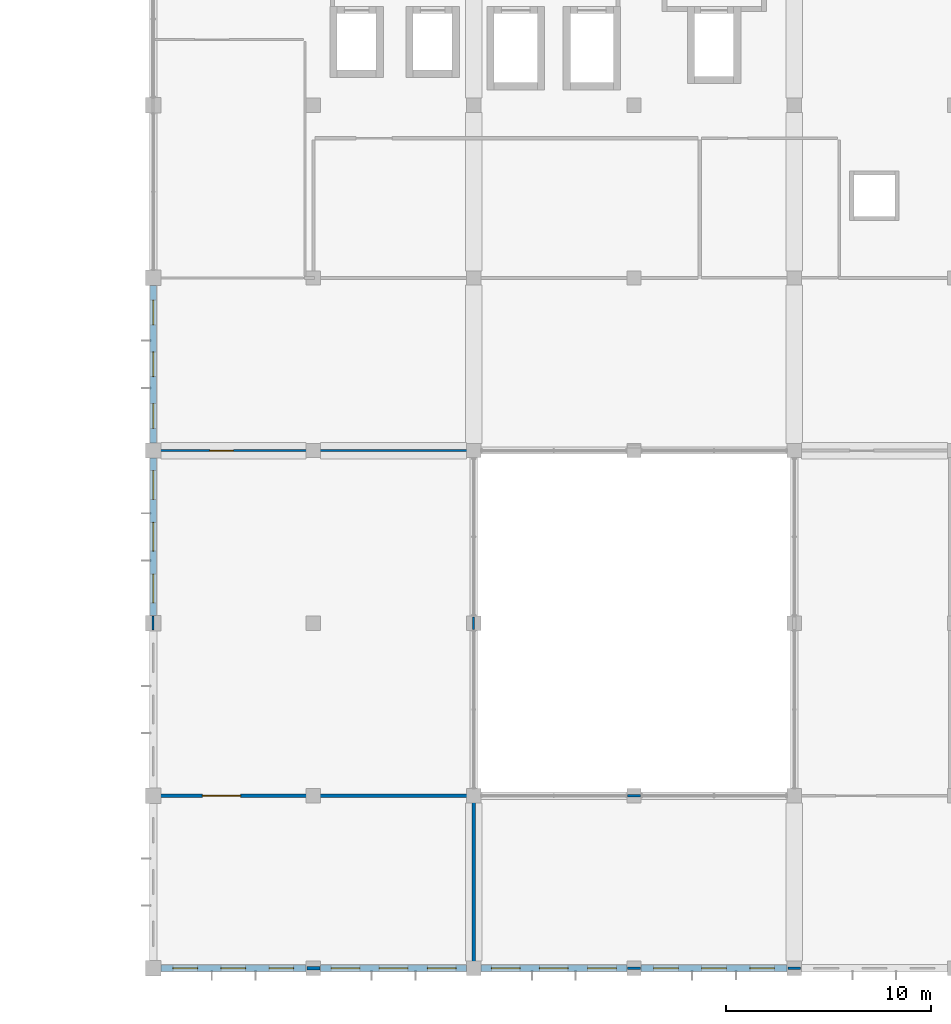
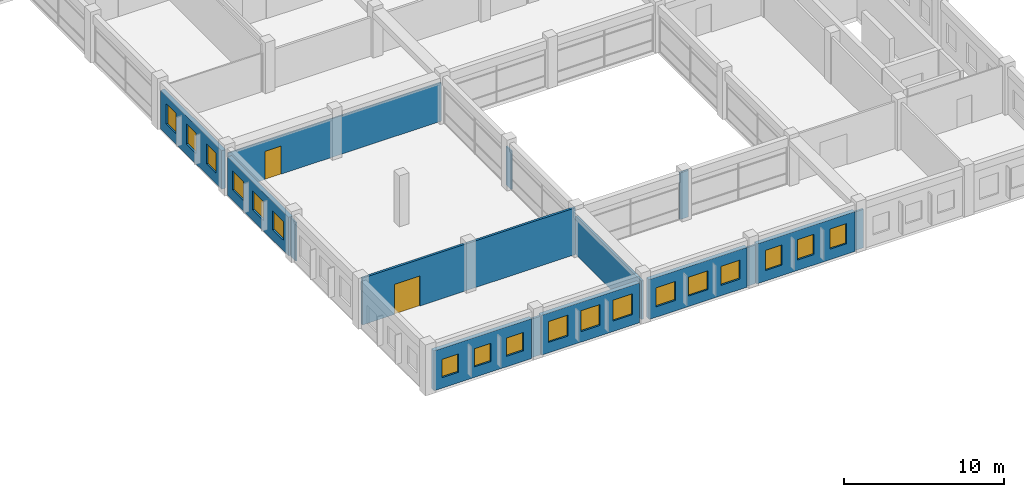
# One storey, part 51 of 72: 18 windows, 15 walls, 2 doors, 20 openings.
"""IFC4 building model written with IfcOpenShell, lengths in metres."""

import ifcopenshell
import ifcopenshell.guid

model = None  # the IFC model being written
_history = None  # IfcOwnerHistory: only IFC2X3 demands one
_inside = {}  # id of a spatial element -> (the spatial element, [elements in it])
_under = {}  # id of a project, library or spatial element -> (it, [spatial elements below it])
_declared = {}  # id of a project -> (the project, [libraries it declares])
_typed = {}  # id of a type object -> (the type object, [elements of that type])
_made_of = {}  # id of a material, layer set ... -> (it, [elements and type objects made of it])


def new_model(schema):
    """Start an empty IFC model of exactly this schema.

    Asked for "IFC4X3", IfcOpenShell would pick the latest addendum, in which some entities
    have other attributes; the version numbers below select the first issue.
    IFC2X3 requires an IfcOwnerHistory on every rooted entity: one is made here for all.
    """
    global model, _history
    if schema == "IFC4X3":
        model = ifcopenshell.file(schema_version=(4, 3, 0, 0))
    else:
        model = ifcopenshell.file(schema=schema)
    _inside.clear()
    _under.clear()
    _declared.clear()
    _typed.clear()
    _made_of.clear()
    _history = None
    if model.schema == "IFC2X3":
        org = make("IfcOrganization", Name="unknown")
        user = make(
            "IfcPersonAndOrganization",
            ThePerson=make("IfcPerson", FamilyName="unknown"),
            TheOrganization=org,
        )
        app = make(
            "IfcApplication",
            ApplicationDeveloper=org,
            Version="unknown",
            ApplicationFullName="unknown",
            ApplicationIdentifier="unknown",
        )
        _history = make(
            "IfcOwnerHistory",
            OwningUser=user,
            OwningApplication=app,
            ChangeAction="ADDED",
            CreationDate=0,
        )
    return model


def make(cls, **values):
    """One entity of the class cls with the attributes given. An attribute that is None is left unset."""
    return model.create_entity(
        cls, **{name: value for name, value in values.items() if value is not None}
    )


def rooted(cls, **values):
    """An entity with a GlobalId (a new one), such as an element, a storey or a relation."""
    return make(cls, GlobalId=ifcopenshell.guid.new(), OwnerHistory=_history, **values)


def si_unit(unit_type, name, prefix=None):
    """IfcSIUnit, for example si_unit("LENGTHUNIT", "METRE", prefix="MILLI")."""
    return make("IfcSIUnit", UnitType=unit_type, Prefix=prefix, Name=name)


def assignment(units):
    """IfcUnitAssignment: the units of a project."""
    return None if units is None else make("IfcUnitAssignment", Units=units)


def point(xyz):
    """IfcCartesianPoint."""
    return None if xyz is None else make("IfcCartesianPoint", Coordinates=xyz)


def direction(xyz):
    """IfcDirection."""
    return None if xyz is None else make("IfcDirection", DirectionRatios=xyz)


def frame(location, z_axis=None, x_axis=None):
    """IfcAxis2Placement3D, a coordinate frame: its origin and axes. An axis left out is left unset."""
    return make(
        "IfcAxis2Placement3D",
        Location=point(location),
        Axis=direction(z_axis),
        RefDirection=direction(x_axis),
    )


def frame_2d(location, x_axis=None):
    """IfcAxis2Placement2D, a coordinate frame in the plane: its origin and x axis."""
    return make(
        "IfcAxis2Placement2D", Location=point(location), RefDirection=direction(x_axis)
    )


def origin():
    """The frame at (0, 0, 0) with its axes left unset."""
    return frame((0.0, 0.0, 0.0))


def place(relative_to, where):
    """IfcLocalPlacement: puts the frame where relative to a parent placement (None: the world)."""
    return make(
        "IfcLocalPlacement", PlacementRelTo=relative_to, RelativePlacement=where
    )


def context(
    kind, dimensions, precision=None, world=None, true_north=None, identifier=None
):
    """IfcGeometricRepresentationContext, for example the 3D "Model" context."""
    return make(
        "IfcGeometricRepresentationContext",
        ContextIdentifier=identifier,
        ContextType=kind,
        CoordinateSpaceDimension=dimensions,
        Precision=precision,
        WorldCoordinateSystem=world,
        TrueNorth=true_north,
    )


def subcontext(parent, identifier, kind, view, scale=None):
    """IfcGeometricRepresentationSubContext, for example "Body" below "Model"."""
    return make(
        "IfcGeometricRepresentationSubContext",
        ContextIdentifier=identifier,
        ContextType=kind,
        ParentContext=parent,
        TargetScale=scale,
        TargetView=view,
    )


def project(units=None, contexts=None):
    """IfcProject with its units and contexts."""
    return rooted(
        "IfcProject",
        Name="project",
        RepresentationContexts=contexts,
        UnitsInContext=assignment(units),
    )


def spatial(cls, under=None, at=None, **own):
    """A site, building, storey or space (cls), placed at a placement, below another one or the project."""
    s = rooted(cls, ObjectPlacement=at, **own)
    if under is not None:
        _under.setdefault(under.id(), (under, []))[1].append(s)
    return s


def profile(cls, at=None, kind="AREA", **sizes):
    """A parametric profile (cls). Its sizes go by their IFC names, for example OverallWidth=200.0."""
    return make(cls, ProfileType=kind, Position=at, **sizes)


def rectangle(**sizes):
    """IfcRectangleProfileDef."""
    return profile("IfcRectangleProfileDef", **sizes)


def extrude(swept, where, along, depth):
    """IfcExtrudedAreaSolid: the profile swept, set in the frame where, extruded along a direction by depth."""
    return make(
        "IfcExtrudedAreaSolid",
        SweptArea=swept,
        Position=where,
        ExtrudedDirection=direction(along),
        Depth=depth,
    )


def shape(context_of_items, identifier, shape_type, items):
    """IfcShapeRepresentation: the items that make up one representation, for example the "Body"."""
    return make(
        "IfcShapeRepresentation",
        ContextOfItems=context_of_items,
        RepresentationIdentifier=identifier,
        RepresentationType=shape_type,
        Items=items,
    )


def material(Name=None, Category=None):
    """IfcMaterial."""
    return make("IfcMaterial", Name=Name, Category=Category)


def layer(
    of_material, thickness, ventilated=None, Name=None, Category=None, Priority=None
):
    """IfcMaterialLayer: one layer of a wall or slab, of a material (None: an air gap)."""
    return make(
        "IfcMaterialLayer",
        Material=of_material,
        LayerThickness=thickness,
        IsVentilated=ventilated,
        Name=Name,
        Category=Category,
        Priority=Priority,
    )


def layer_set(layers, Name=None):
    """IfcMaterialLayerSet."""
    return make("IfcMaterialLayerSet", MaterialLayers=layers, LayerSetName=Name)


def made_of(thing, what):
    """Note that an element or type object is made of a material, layer set ...; save() writes the relation."""
    if what is not None:
        _made_of.setdefault(what.id(), (what, []))[1].append(thing)
    return thing


def type_object(cls, material=None, **own):
    """A type object (cls), such as IfcWallType, which elements share."""
    return made_of(rooted(cls, **own), material)


def element(
    cls,
    number,
    at=None,
    inside=None,
    cuts=None,
    type_object=None,
    material=None,
    context=None,
    identifier="Body",
    shape_type=None,
    held_by="IfcProductDefinitionShape",
    body=None,
    shapes=None,
    **own,
):
    """One element of the class cls, such as IfcWall. Its Tag is "e" and its number.

    at: its placement. inside: the storey or other place that contains it. cuts: it is an
    opening in that element (IfcRelVoidsElement). A single representation is given by context,
    identifier, shape_type and body (its items); several are given by shapes. held_by: the class
    of the entity that holds the representations. save() writes the other relations.
    """
    e = rooted(cls, Tag="e%d" % number, ObjectPlacement=at, **own)
    if body is not None:
        shapes = [shape(context, identifier, shape_type, body)]
    if shapes is not None:
        e.Representation = make(held_by, Representations=shapes)
    if inside is not None:
        _inside.setdefault(inside.id(), (inside, []))[1].append(e)
    if cuts is not None:
        rooted(
            "IfcRelVoidsElement", RelatingBuildingElement=cuts, RelatedOpeningElement=e
        )
    if type_object is not None:
        _typed.setdefault(type_object.id(), (type_object, []))[1].append(e)
    return made_of(e, material)


def fill(opening, filler):
    """IfcRelFillsElement: the door or window that sits in an opening."""
    return rooted(
        "IfcRelFillsElement",
        RelatingOpeningElement=opening,
        RelatedBuildingElement=filler,
    )


def aggregate(whole, parts):
    """IfcRelAggregates: a whole, such as a stair, and the parts it consists of."""
    return rooted("IfcRelAggregates", RelatingObject=whole, RelatedObjects=parts)


def save(model, path):
    """Write the relations noted so far, then the file.

    IfcRelAggregates (storeys below a building ...), IfcRelContainedInSpatialStructure (elements
    in a storey), IfcRelDefinesByType, IfcRelAssociatesMaterial and IfcRelDeclares: one each for
    every whole, place, type object, material and project.
    """
    for whole, parts in _under.values():
        aggregate(whole, parts)
    for where, things in _inside.values():
        rooted(
            "IfcRelContainedInSpatialStructure",
            RelatedElements=things,
            RelatingStructure=where,
        )
    for kind, things in _typed.values():
        rooted("IfcRelDefinesByType", RelatedObjects=things, RelatingType=kind)
    for what, things in _made_of.values():
        rooted("IfcRelAssociatesMaterial", RelatedObjects=things, RelatingMaterial=what)
    for by, libraries in _declared.values():
        rooted("IfcRelDeclares", RelatingContext=by, RelatedDefinitions=libraries)
    model.write(path)


model = new_model("IFC4")

# Units and contexts
model_context = context("Model", 3, precision=1e-05, world=origin(), true_north=direction((0.0, 1.0)))
body_context = subcontext(model_context, "Body", "Model", "MODEL_VIEW")
ifc_project = project(units=[si_unit("LENGTHUNIT", "METRE"), si_unit("AREAUNIT", "SQUARE_METRE"), si_unit("VOLUMEUNIT", "CUBIC_METRE"), si_unit("PLANEANGLEUNIT", "RADIAN"), si_unit("MASSUNIT", "GRAM", prefix="KILO"), si_unit("THERMODYNAMICTEMPERATUREUNIT", "KELVIN"), si_unit("POWERUNIT", "WATT")], contexts=[model_context])

# Site, building, storey
site_placement = place(None, origin())
site = spatial("IfcSite", under=ifc_project, at=site_placement, CompositionType="ELEMENT")
building_placement = place(site_placement, origin())
building = spatial("IfcBuilding", under=site, at=building_placement, Name="Srebrne Nadtorze General Hospital", CompositionType="ELEMENT")
storey_placement = place(building_placement, frame((0.0, 0.0, 22.199951171875)))
storey = spatial("IfcBuildingStorey", under=building, at=storey_placement, Name="L05", CompositionType="ELEMENT", Elevation=22.199951171875)

# Walls
ifc_material_1 = material(Name="Gypsum Healthcare Partition")
ifc_layer_1 = layer(ifc_material_1, 0.139892578125)
ifc_layer_set_1 = layer_set([ifc_layer_1], Name="Gypsum Healthcare Partition")
wall_type_1 = type_object("IfcWallType", Name="Clinical partition 140", PredefinedType="PARTITIONING", material=ifc_layer_set_1)
wall_1_placement = place(storey_placement, frame((124.489990234375, 8.39990234375, 0.0), z_axis=(0.0, 0.0, 1.0), x_axis=(1.0, 0.0, 0.0)))
element("IfcWall", 1, at=wall_1_placement, inside=storey, type_object=wall_type_1, Name="Outpatient Gastroenterology Clinic wall WL-INT-L05-2159", PredefinedType="PARTITIONING", context=body_context, shape_type="SweptSolid", body=[
    extrude(rectangle(XDim=0.6201171875, YDim=0.139892578125, at=frame_2d((0.31005859375, 0.0))), origin(), (0.0, 0.0, 1.0), 3.580078125),
])
wall_2_placement = place(storey_placement, frame((124.489990234375, 0.0, 0.0), z_axis=(0.0, 0.0, 1.0), x_axis=(1.0, 0.0, 0.0)))
element("IfcWall", 2, at=wall_2_placement, inside=storey, type_object=wall_type_1, Name="Outpatient Gastroenterology Clinic wall WL-INT-L05-2161", PredefinedType="PARTITIONING", context=body_context, shape_type="SweptSolid", body=[
    extrude(rectangle(XDim=0.6201171875, YDim=0.139892578125, at=frame_2d((0.31005859375, 0.0))), origin(), (0.0, 0.0, 1.0), 2.949951171875),
])
wall_3_placement = place(storey_placement, frame((132.2900390625, 0.0, 0.0), z_axis=(0.0, 0.0, 1.0), x_axis=(1.0, 0.0, 0.0)))
element("IfcWall", 3, at=wall_3_placement, inside=storey, type_object=wall_type_1, Name="Outpatient Gastroenterology Clinic wall WL-INT-L05-2162", PredefinedType="PARTITIONING", context=body_context, shape_type="SweptSolid", body=[
    extrude(rectangle(XDim=0.619873046875, YDim=0.139892578125, at=frame_2d((0.31005859375, 0.0))), origin(), (0.0, 0.0, 1.0), 2.949951171875),
])

# Wall, opening, door
ifc_material_2 = material(Name="Gypsum Healthcare Partition")
ifc_layer_2 = layer(ifc_material_2, 0.159912109375)
ifc_layer_set_2 = layer_set([ifc_layer_2], Name="Gypsum Healthcare Partition")
wall_type_2 = type_object("IfcWallType", Name="Clinical partition 160", PredefinedType="PARTITIONING", material=ifc_layer_set_2)
wall_4_placement = place(storey_placement, frame((101.485107421875, 8.39990234375, 0.0), z_axis=(0.0, 0.0, 1.0), x_axis=(1.0, 0.0, 0.0)))
wall_4 = element("IfcWall", 4, at=wall_4_placement, inside=storey, type_object=wall_type_2, Name="Outpatient Pulmonary Function Clinic wall WL-INT-L05-2156", PredefinedType="PARTITIONING", context=body_context, shape_type="SweptSolid", body=[
    extrude(rectangle(XDim=15.429931640625, YDim=0.159912109375, at=frame_2d((7.71484375, 0.0))), origin(), (0.0, 0.0, 1.0), 3.580078125),
])
opening_1_placement = place(wall_4_placement, frame((2.315185546875, 0.0, 0.0)))
opening_1 = element("IfcOpeningElement", 5, at=opening_1_placement, cuts=wall_4, Name="Opening D-L05-0462", PredefinedType="OPENING", context=body_context, shape_type="SweptSolid", body=[
    extrude(rectangle(XDim=1.85009765625, YDim=2.300048828125, at=frame_2d((0.925048828125, 1.14990234375))), frame((0.0, 0.091796875, 0.0), z_axis=(0.0, -1.0, 0.0), x_axis=(1.0, 0.0, 0.0)), (0.0, 0.0, 1.0), 0.183837890625),
])
ifc_material_3 = material(Name="Anodised Aluminium", Category="aluminium")
door_type_1 = type_object("IfcDoorType", Name="Double leaf door 1850x2300", OperationType="DOUBLE_DOOR_SINGLE_SWING", PredefinedType="DOOR", material=ifc_material_3)
door_1_placement = place(opening_1_placement, frame((1.85009765625, 0.0, 0.0), z_axis=(0.0, 0.0, 1.0), x_axis=(-1.0, 0.0, 0.0)))
door_1 = element("IfcDoor", 6, at=door_1_placement, inside=storey, type_object=door_type_1, Name="Outpatient Pulmonary Function Clinic door D-L05-0462", OperationType="DOUBLE_DOOR_SINGLE_SWING", OverallHeight=2.300048828125, OverallWidth=1.85009765625, PredefinedType="DOOR", context=body_context, shape_type="SweptSolid", body=[
    extrude(rectangle(XDim=1.85009765625, YDim=2.300048828125, at=frame_2d((0.925048828125, 1.14990234375))), frame((0.0, 0.02490234375, 0.0), z_axis=(0.0, -1.0, 0.0), x_axis=(1.0, 0.0, 0.0)), (0.0, 0.0, 1.0), 0.050048828125),
])
fill(opening_1, door_1)

# Walls
wall_5_placement = place(storey_placement, frame((108.889892578125, 0.0, 0.0), z_axis=(0.0, 0.0, 1.0), x_axis=(1.0, 0.0, 0.0)))
element("IfcWall", 7, at=wall_5_placement, inside=storey, type_object=wall_type_2, Name="Outpatient Pulmonary Function Clinic wall WL-INT-L05-2157", PredefinedType="PARTITIONING", context=body_context, shape_type="SweptSolid", body=[
    extrude(rectangle(XDim=0.6201171875, YDim=0.159912109375, at=frame_2d((0.31005859375, 0.0))), origin(), (0.0, 0.0, 1.0), 2.949951171875),
])
wall_6_placement = place(storey_placement, frame((117.0, 0.0849609375, 0.0), z_axis=(0.0, 0.0, 1.0), x_axis=(0.0, 1.0, 0.0)))
element("IfcWall", 8, at=wall_6_placement, inside=storey, type_object=wall_type_2, Name="Outpatient Pulmonary Function Clinic wall WL-INT-L05-2158", PredefinedType="PARTITIONING", context=body_context, shape_type="SweptSolid", body=[
    extrude(rectangle(XDim=8.22998046875, YDim=0.159912109375, at=frame_2d((4.114990234375, 0.0))), origin(), (0.0, 0.0, 1.0), 2.949951171875),
])

# Wall, openings, windows
ifc_material_4 = material(Name="Concrete C40/50 precast", Category="concrete")
ifc_layer_3 = layer(ifc_material_4, 0.300048828125)
ifc_layer_set_3 = layer_set([ifc_layer_3], Name="Concrete C40/50 precast")
wall_type_3 = type_object("IfcWallType", Name="Limestone precast wall 300", PredefinedType="STANDARD", material=ifc_layer_set_3)
wall_7_placement = place(storey_placement, frame((101.77490234375, 0.0, 0.0), z_axis=(0.0, 0.0, 1.0), x_axis=(1.0, 0.0, 0.0)))
wall_7 = element("IfcWall", 9, at=wall_7_placement, inside=storey, type_object=wall_type_3, Name="Exterior wall WL-ENV-L05-0404", PredefinedType="STANDARD", context=body_context, shape_type="SweptSolid", body=[
    extrude(rectangle(XDim=7.0751953125, YDim=0.300048828125, at=frame_2d((3.53759765625, 0.0))), origin(), (0.0, 0.0, 1.0), 3.050048828125),
])
opening_2_placement = place(wall_7_placement, frame((0.5849609375, 0.0, 0.800048828125)))
opening_2 = element("IfcOpeningElement", 10, at=opening_2_placement, cuts=wall_7, Name="Opening WN-L05-0633", PredefinedType="OPENING", context=body_context, shape_type="SweptSolid", body=[
    extrude(rectangle(XDim=1.199951171875, YDim=1.39990234375, at=frame_2d((0.60009765625, 0.699951171875))), frame((0.0, 0.162109375, 0.0), z_axis=(0.0, -1.0, 0.0), x_axis=(1.0, 0.0, 0.0)), (0.0, 0.0, 1.0), 0.323974609375),
])
opening_3_placement = place(wall_7_placement, frame((2.925048828125, 0.0, 0.800048828125)))
opening_3 = element("IfcOpeningElement", 11, at=opening_3_placement, cuts=wall_7, Name="Opening WN-L05-0634", PredefinedType="OPENING", context=body_context, shape_type="SweptSolid", body=[
    extrude(rectangle(XDim=1.199951171875, YDim=1.39990234375, at=frame_2d((0.60009765625, 0.699951171875))), frame((0.0, 0.162109375, 0.0), z_axis=(0.0, -1.0, 0.0), x_axis=(1.0, 0.0, 0.0)), (0.0, 0.0, 1.0), 0.323974609375),
])
opening_4_placement = place(wall_7_placement, frame((5.264892578125, 0.0, 0.800048828125)))
opening_4 = element("IfcOpeningElement", 12, at=opening_4_placement, cuts=wall_7, Name="Opening WN-L05-0635", PredefinedType="OPENING", context=body_context, shape_type="SweptSolid", body=[
    extrude(rectangle(XDim=1.199951171875, YDim=1.39990234375, at=frame_2d((0.60009765625, 0.699951171875))), frame((0.0, 0.162109375, 0.0), z_axis=(0.0, -1.0, 0.0), x_axis=(1.0, 0.0, 0.0)), (0.0, 0.0, 1.0), 0.323974609375),
])
ifc_material_5 = material(Name="Triple Low-E Glazing", Category="glass")
window_type_1 = type_object("IfcWindowType", Name="Punched clinical window 1200x1400", PartitioningType="SINGLE_PANEL", PredefinedType="WINDOW", material=ifc_material_5)
window_1_placement = place(opening_2_placement, origin())
window_1 = element("IfcWindow", 13, at=window_1_placement, inside=storey, type_object=window_type_1, Name="Clinical window WN-L05-0633", OverallHeight=1.39990234375, OverallWidth=1.199951171875, PartitioningType="SINGLE_PANEL", PredefinedType="WINDOW", context=body_context, shape_type="SweptSolid", body=[
    extrude(rectangle(XDim=1.199951171875, YDim=1.39990234375, at=frame_2d((0.60009765625, 0.699951171875))), frame((0.0, 0.030029296875, 0.0), z_axis=(0.0, -1.0, 0.0), x_axis=(1.0, 0.0, 0.0)), (0.0, 0.0, 1.0), 0.06005859375),
])
fill(opening_2, window_1)
window_2_placement = place(opening_3_placement, origin())
window_2 = element("IfcWindow", 14, at=window_2_placement, inside=storey, type_object=window_type_1, Name="Clinical window WN-L05-0634", OverallHeight=1.39990234375, OverallWidth=1.199951171875, PartitioningType="SINGLE_PANEL", PredefinedType="WINDOW", context=body_context, shape_type="SweptSolid", body=[
    extrude(rectangle(XDim=1.199951171875, YDim=1.39990234375, at=frame_2d((0.60009765625, 0.699951171875))), frame((0.0, 0.030029296875, 0.0), z_axis=(0.0, -1.0, 0.0), x_axis=(1.0, 0.0, 0.0)), (0.0, 0.0, 1.0), 0.06005859375),
])
fill(opening_3, window_2)
window_3_placement = place(opening_4_placement, origin())
window_3 = element("IfcWindow", 15, at=window_3_placement, inside=storey, type_object=window_type_1, Name="Clinical window WN-L05-0635", OverallHeight=1.39990234375, OverallWidth=1.199951171875, PartitioningType="SINGLE_PANEL", PredefinedType="WINDOW", context=body_context, shape_type="SweptSolid", body=[
    extrude(rectangle(XDim=1.199951171875, YDim=1.39990234375, at=frame_2d((0.60009765625, 0.699951171875))), frame((0.0, 0.030029296875, 0.0), z_axis=(0.0, -1.0, 0.0), x_axis=(1.0, 0.0, 0.0)), (0.0, 0.0, 1.0), 0.06005859375),
])
fill(opening_4, window_3)

wall_8_placement = place(storey_placement, frame((109.550048828125, 0.0, 0.0), z_axis=(0.0, 0.0, 1.0), x_axis=(1.0, 0.0, 0.0)))
wall_8 = element("IfcWall", 16, at=wall_8_placement, inside=storey, type_object=wall_type_3, Name="Exterior wall WL-ENV-L05-0405", PredefinedType="STANDARD", context=body_context, shape_type="SweptSolid", body=[
    extrude(rectangle(XDim=7.099853515625, YDim=0.300048828125, at=frame_2d((3.5498046875, 0.0))), origin(), (0.0, 0.0, 1.0), 3.050048828125),
])
opening_5_placement = place(wall_8_placement, frame((0.510009765625, 0.0, 0.800048828125)))
opening_5 = element("IfcOpeningElement", 17, at=opening_5_placement, cuts=wall_8, Name="Opening WN-L05-0636", PredefinedType="OPENING", context=body_context, shape_type="SweptSolid", body=[
    extrude(rectangle(XDim=1.39990234375, YDim=1.60009765625, at=frame_2d((0.699951171875, 0.800048828125))), frame((0.0, 0.162109375, 0.0), z_axis=(0.0, -1.0, 0.0), x_axis=(1.0, 0.0, 0.0)), (0.0, 0.0, 1.0), 0.323974609375),
])
opening_6_placement = place(wall_8_placement, frame((2.85009765625, 0.0, 0.800048828125)))
opening_6 = element("IfcOpeningElement", 18, at=opening_6_placement, cuts=wall_8, Name="Opening WN-L05-0637", PredefinedType="OPENING", context=body_context, shape_type="SweptSolid", body=[
    extrude(rectangle(XDim=1.39990234375, YDim=1.60009765625, at=frame_2d((0.699951171875, 0.800048828125))), frame((0.0, 0.162109375, 0.0), z_axis=(0.0, -1.0, 0.0), x_axis=(1.0, 0.0, 0.0)), (0.0, 0.0, 1.0), 0.323974609375),
])
opening_7_placement = place(wall_8_placement, frame((5.18994140625, 0.0, 0.800048828125)))
opening_7 = element("IfcOpeningElement", 19, at=opening_7_placement, cuts=wall_8, Name="Opening WN-L05-0638", PredefinedType="OPENING", context=body_context, shape_type="SweptSolid", body=[
    extrude(rectangle(XDim=1.39990234375, YDim=1.60009765625, at=frame_2d((0.699951171875, 0.800048828125))), frame((0.0, 0.162109375, 0.0), z_axis=(0.0, -1.0, 0.0), x_axis=(1.0, 0.0, 0.0)), (0.0, 0.0, 1.0), 0.323974609375),
])
ifc_material_6 = material(Name="Triple Low-E Glazing", Category="glass")
window_type_2 = type_object("IfcWindowType", Name="Punched clinical window 1400x1600", PartitioningType="SINGLE_PANEL", PredefinedType="WINDOW", material=ifc_material_6)
window_4_placement = place(opening_5_placement, origin())
window_4 = element("IfcWindow", 20, at=window_4_placement, inside=storey, type_object=window_type_2, Name="Clinical window WN-L05-0636", OverallHeight=1.60009765625, OverallWidth=1.39990234375, PartitioningType="SINGLE_PANEL", PredefinedType="WINDOW", context=body_context, shape_type="SweptSolid", body=[
    extrude(rectangle(XDim=1.39990234375, YDim=1.60009765625, at=frame_2d((0.699951171875, 0.800048828125))), frame((0.0, 0.030029296875, 0.0), z_axis=(0.0, -1.0, 0.0), x_axis=(1.0, 0.0, 0.0)), (0.0, 0.0, 1.0), 0.06005859375),
])
fill(opening_5, window_4)
window_5_placement = place(opening_6_placement, origin())
window_5 = element("IfcWindow", 21, at=window_5_placement, inside=storey, type_object=window_type_2, Name="Clinical window WN-L05-0637", OverallHeight=1.60009765625, OverallWidth=1.39990234375, PartitioningType="SINGLE_PANEL", PredefinedType="WINDOW", context=body_context, shape_type="SweptSolid", body=[
    extrude(rectangle(XDim=1.39990234375, YDim=1.60009765625, at=frame_2d((0.699951171875, 0.800048828125))), frame((0.0, 0.030029296875, 0.0), z_axis=(0.0, -1.0, 0.0), x_axis=(1.0, 0.0, 0.0)), (0.0, 0.0, 1.0), 0.06005859375),
])
fill(opening_6, window_5)
window_6_placement = place(opening_7_placement, origin())
window_6 = element("IfcWindow", 22, at=window_6_placement, inside=storey, type_object=window_type_2, Name="Clinical window WN-L05-0638", OverallHeight=1.60009765625, OverallWidth=1.39990234375, PartitioningType="SINGLE_PANEL", PredefinedType="WINDOW", context=body_context, shape_type="SweptSolid", body=[
    extrude(rectangle(XDim=1.39990234375, YDim=1.60009765625, at=frame_2d((0.699951171875, 0.800048828125))), frame((0.0, 0.030029296875, 0.0), z_axis=(0.0, -1.0, 0.0), x_axis=(1.0, 0.0, 0.0)), (0.0, 0.0, 1.0), 0.06005859375),
])
fill(opening_7, window_6)

wall_9_placement = place(storey_placement, frame((117.35009765625, 0.0, 0.0), z_axis=(0.0, 0.0, 1.0), x_axis=(1.0, 0.0, 0.0)))
wall_9 = element("IfcWall", 23, at=wall_9_placement, inside=storey, type_object=wall_type_3, Name="Exterior wall WL-ENV-L05-0406", PredefinedType="STANDARD", context=body_context, shape_type="SweptSolid", body=[
    extrude(rectangle(XDim=7.099853515625, YDim=0.300048828125, at=frame_2d((3.5498046875, 0.0))), origin(), (0.0, 0.0, 1.0), 3.050048828125),
])
opening_8_placement = place(wall_9_placement, frame((0.510009765625, 0.0, 0.800048828125)))
opening_8 = element("IfcOpeningElement", 24, at=opening_8_placement, cuts=wall_9, Name="Opening WN-L05-0639", PredefinedType="OPENING", context=body_context, shape_type="SweptSolid", body=[
    extrude(rectangle(XDim=1.39990234375, YDim=1.449951171875, at=frame_2d((0.699951171875, 0.72509765625))), frame((0.0, 0.162109375, 0.0), z_axis=(0.0, -1.0, 0.0), x_axis=(1.0, 0.0, 0.0)), (0.0, 0.0, 1.0), 0.323974609375),
])
opening_9_placement = place(wall_9_placement, frame((2.85009765625, 0.0, 0.800048828125)))
opening_9 = element("IfcOpeningElement", 25, at=opening_9_placement, cuts=wall_9, Name="Opening WN-L05-0640", PredefinedType="OPENING", context=body_context, shape_type="SweptSolid", body=[
    extrude(rectangle(XDim=1.39990234375, YDim=1.449951171875, at=frame_2d((0.699951171875, 0.72509765625))), frame((0.0, 0.162109375, 0.0), z_axis=(0.0, -1.0, 0.0), x_axis=(1.0, 0.0, 0.0)), (0.0, 0.0, 1.0), 0.323974609375),
])
opening_10_placement = place(wall_9_placement, frame((5.18994140625, 0.0, 0.800048828125)))
opening_10 = element("IfcOpeningElement", 26, at=opening_10_placement, cuts=wall_9, Name="Opening WN-L05-0641", PredefinedType="OPENING", context=body_context, shape_type="SweptSolid", body=[
    extrude(rectangle(XDim=1.39990234375, YDim=1.449951171875, at=frame_2d((0.699951171875, 0.72509765625))), frame((0.0, 0.162109375, 0.0), z_axis=(0.0, -1.0, 0.0), x_axis=(1.0, 0.0, 0.0)), (0.0, 0.0, 1.0), 0.323974609375),
])
ifc_material_7 = material(Name="Triple Low-E Glazing", Category="glass")
window_type_3 = type_object("IfcWindowType", Name="Punched clinical window 1400x1450", PartitioningType="SINGLE_PANEL", PredefinedType="WINDOW", material=ifc_material_7)
window_7_placement = place(opening_8_placement, origin())
window_7 = element("IfcWindow", 27, at=window_7_placement, inside=storey, type_object=window_type_3, Name="Clinical window WN-L05-0639", OverallHeight=1.449951171875, OverallWidth=1.39990234375, PartitioningType="SINGLE_PANEL", PredefinedType="WINDOW", context=body_context, shape_type="SweptSolid", body=[
    extrude(rectangle(XDim=1.39990234375, YDim=1.449951171875, at=frame_2d((0.699951171875, 0.72509765625))), frame((0.0, 0.030029296875, 0.0), z_axis=(0.0, -1.0, 0.0), x_axis=(1.0, 0.0, 0.0)), (0.0, 0.0, 1.0), 0.06005859375),
])
fill(opening_8, window_7)
window_8_placement = place(opening_9_placement, origin())
window_8 = element("IfcWindow", 28, at=window_8_placement, inside=storey, type_object=window_type_3, Name="Clinical window WN-L05-0640", OverallHeight=1.449951171875, OverallWidth=1.39990234375, PartitioningType="SINGLE_PANEL", PredefinedType="WINDOW", context=body_context, shape_type="SweptSolid", body=[
    extrude(rectangle(XDim=1.39990234375, YDim=1.449951171875, at=frame_2d((0.699951171875, 0.72509765625))), frame((0.0, 0.030029296875, 0.0), z_axis=(0.0, -1.0, 0.0), x_axis=(1.0, 0.0, 0.0)), (0.0, 0.0, 1.0), 0.06005859375),
])
fill(opening_9, window_8)
window_9_placement = place(opening_10_placement, origin())
window_9 = element("IfcWindow", 29, at=window_9_placement, inside=storey, type_object=window_type_3, Name="Clinical window WN-L05-0641", OverallHeight=1.449951171875, OverallWidth=1.39990234375, PartitioningType="SINGLE_PANEL", PredefinedType="WINDOW", context=body_context, shape_type="SweptSolid", body=[
    extrude(rectangle(XDim=1.39990234375, YDim=1.449951171875, at=frame_2d((0.699951171875, 0.72509765625))), frame((0.0, 0.030029296875, 0.0), z_axis=(0.0, -1.0, 0.0), x_axis=(1.0, 0.0, 0.0)), (0.0, 0.0, 1.0), 0.06005859375),
])
fill(opening_10, window_9)

wall_10_placement = place(storey_placement, frame((125.14990234375, 0.0, 0.0), z_axis=(0.0, 0.0, 1.0), x_axis=(1.0, 0.0, 0.0)))
wall_10 = element("IfcWall", 30, at=wall_10_placement, inside=storey, type_object=wall_type_3, Name="Exterior wall WL-ENV-L05-0407", PredefinedType="STANDARD", context=body_context, shape_type="SweptSolid", body=[
    extrude(rectangle(XDim=7.10009765625, YDim=0.300048828125, at=frame_2d((3.550048828125, 0.0))), origin(), (0.0, 0.0, 1.0), 3.050048828125),
])
opening_11_placement = place(wall_10_placement, frame((0.610107421875, 0.0, 0.800048828125)))
opening_11 = element("IfcOpeningElement", 31, at=opening_11_placement, cuts=wall_10, Name="Opening WN-L05-0642", PredefinedType="OPENING", context=body_context, shape_type="SweptSolid", body=[
    extrude(rectangle(XDim=1.199951171875, YDim=1.550048828125, at=frame_2d((0.60009765625, 0.77490234375))), frame((0.0, 0.162109375, 0.0), z_axis=(0.0, -1.0, 0.0), x_axis=(1.0, 0.0, 0.0)), (0.0, 0.0, 1.0), 0.323974609375),
])
opening_12_placement = place(wall_10_placement, frame((2.949951171875, 0.0, 0.800048828125)))
opening_12 = element("IfcOpeningElement", 32, at=opening_12_placement, cuts=wall_10, Name="Opening WN-L05-0643", PredefinedType="OPENING", context=body_context, shape_type="SweptSolid", body=[
    extrude(rectangle(XDim=1.199951171875, YDim=1.550048828125, at=frame_2d((0.60009765625, 0.77490234375))), frame((0.0, 0.162109375, 0.0), z_axis=(0.0, -1.0, 0.0), x_axis=(1.0, 0.0, 0.0)), (0.0, 0.0, 1.0), 0.323974609375),
])
opening_13_placement = place(wall_10_placement, frame((5.2900390625, 0.0, 0.800048828125)))
opening_13 = element("IfcOpeningElement", 33, at=opening_13_placement, cuts=wall_10, Name="Opening WN-L05-0644", PredefinedType="OPENING", context=body_context, shape_type="SweptSolid", body=[
    extrude(rectangle(XDim=1.199951171875, YDim=1.550048828125, at=frame_2d((0.60009765625, 0.77490234375))), frame((0.0, 0.162109375, 0.0), z_axis=(0.0, -1.0, 0.0), x_axis=(1.0, 0.0, 0.0)), (0.0, 0.0, 1.0), 0.323974609375),
])
ifc_material_8 = material(Name="Triple Low-E Glazing", Category="glass")
window_type_4 = type_object("IfcWindowType", Name="Punched clinical window 1200x1550", PartitioningType="SINGLE_PANEL", PredefinedType="WINDOW", material=ifc_material_8)
window_10_placement = place(opening_11_placement, origin())
window_10 = element("IfcWindow", 34, at=window_10_placement, inside=storey, type_object=window_type_4, Name="Clinical window WN-L05-0642", OverallHeight=1.550048828125, OverallWidth=1.199951171875, PartitioningType="SINGLE_PANEL", PredefinedType="WINDOW", context=body_context, shape_type="SweptSolid", body=[
    extrude(rectangle(XDim=1.199951171875, YDim=1.550048828125, at=frame_2d((0.60009765625, 0.77490234375))), frame((0.0, 0.030029296875, 0.0), z_axis=(0.0, -1.0, 0.0), x_axis=(1.0, 0.0, 0.0)), (0.0, 0.0, 1.0), 0.06005859375),
])
fill(opening_11, window_10)
window_11_placement = place(opening_12_placement, origin())
window_11 = element("IfcWindow", 35, at=window_11_placement, inside=storey, type_object=window_type_4, Name="Clinical window WN-L05-0643", OverallHeight=1.550048828125, OverallWidth=1.199951171875, PartitioningType="SINGLE_PANEL", PredefinedType="WINDOW", context=body_context, shape_type="SweptSolid", body=[
    extrude(rectangle(XDim=1.199951171875, YDim=1.550048828125, at=frame_2d((0.60009765625, 0.77490234375))), frame((0.0, 0.030029296875, 0.0), z_axis=(0.0, -1.0, 0.0), x_axis=(1.0, 0.0, 0.0)), (0.0, 0.0, 1.0), 0.06005859375),
])
fill(opening_12, window_11)
window_12_placement = place(opening_13_placement, origin())
window_12 = element("IfcWindow", 36, at=window_12_placement, inside=storey, type_object=window_type_4, Name="Clinical window WN-L05-0644", OverallHeight=1.550048828125, OverallWidth=1.199951171875, PartitioningType="SINGLE_PANEL", PredefinedType="WINDOW", context=body_context, shape_type="SweptSolid", body=[
    extrude(rectangle(XDim=1.199951171875, YDim=1.550048828125, at=frame_2d((0.60009765625, 0.77490234375))), frame((0.0, 0.030029296875, 0.0), z_axis=(0.0, -1.0, 0.0), x_axis=(1.0, 0.0, 0.0)), (0.0, 0.0, 1.0), 0.06005859375),
])
fill(opening_13, window_12)

wall_11_placement = place(storey_placement, frame((101.39990234375, 17.175048828125, 0.0), z_axis=(0.0, 0.0, 1.0), x_axis=(0.0, 1.0, 0.0)))
wall_11 = element("IfcWall", 37, at=wall_11_placement, inside=storey, type_object=wall_type_3, Name="Exterior wall WL-ENV-L05-0443", PredefinedType="STANDARD", context=body_context, shape_type="SweptSolid", body=[
    extrude(rectangle(XDim=7.64990234375, YDim=0.300048828125, at=frame_2d((3.824951171875, 0.0))), origin(), (0.0, 0.0, 1.0), 2.949951171875),
])
opening_14_placement = place(wall_11_placement, frame((0.60498046875, 0.0, 0.800048828125)))
opening_14 = element("IfcOpeningElement", 38, at=opening_14_placement, cuts=wall_11, Name="Opening WN-L05-0715", PredefinedType="OPENING", context=body_context, shape_type="SweptSolid", body=[
    extrude(rectangle(XDim=1.39990234375, YDim=1.449951171875, at=frame_2d((0.699951171875, 0.72509765625))), frame((0.0, 0.162109375, 0.0), z_axis=(0.0, -1.0, 0.0), x_axis=(1.0, 0.0, 0.0)), (0.0, 0.0, 1.0), 0.323974609375),
])
opening_15_placement = place(wall_11_placement, frame((3.125, 0.0, 0.800048828125)))
opening_15 = element("IfcOpeningElement", 39, at=opening_15_placement, cuts=wall_11, Name="Opening WN-L05-0716", PredefinedType="OPENING", context=body_context, shape_type="SweptSolid", body=[
    extrude(rectangle(XDim=1.39990234375, YDim=1.449951171875, at=frame_2d((0.699951171875, 0.72509765625))), frame((0.0, 0.162109375, 0.0), z_axis=(0.0, -1.0, 0.0), x_axis=(1.0, 0.0, 0.0)), (0.0, 0.0, 1.0), 0.323974609375),
])
opening_16_placement = place(wall_11_placement, frame((5.64501953125, 0.0, 0.800048828125)))
opening_16 = element("IfcOpeningElement", 40, at=opening_16_placement, cuts=wall_11, Name="Opening WN-L05-0717", PredefinedType="OPENING", context=body_context, shape_type="SweptSolid", body=[
    extrude(rectangle(XDim=1.39990234375, YDim=1.449951171875, at=frame_2d((0.699951171875, 0.72509765625))), frame((0.0, 0.162109375, 0.0), z_axis=(0.0, -1.0, 0.0), x_axis=(1.0, 0.0, 0.0)), (0.0, 0.0, 1.0), 0.323974609375),
])
window_13_placement = place(opening_14_placement, origin())
window_13 = element("IfcWindow", 41, at=window_13_placement, inside=storey, type_object=window_type_3, Name="Clinical window WN-L05-0715", OverallHeight=1.449951171875, OverallWidth=1.39990234375, PartitioningType="SINGLE_PANEL", PredefinedType="WINDOW", context=body_context, shape_type="SweptSolid", body=[
    extrude(rectangle(XDim=1.39990234375, YDim=1.449951171875, at=frame_2d((0.699951171875, 0.72509765625))), frame((0.0, 0.030029296875, 0.0), z_axis=(0.0, -1.0, 0.0), x_axis=(1.0, 0.0, 0.0)), (0.0, 0.0, 1.0), 0.06005859375),
])
fill(opening_14, window_13)
window_14_placement = place(opening_15_placement, origin())
window_14 = element("IfcWindow", 42, at=window_14_placement, inside=storey, type_object=window_type_3, Name="Clinical window WN-L05-0716", OverallHeight=1.449951171875, OverallWidth=1.39990234375, PartitioningType="SINGLE_PANEL", PredefinedType="WINDOW", context=body_context, shape_type="SweptSolid", body=[
    extrude(rectangle(XDim=1.39990234375, YDim=1.449951171875, at=frame_2d((0.699951171875, 0.72509765625))), frame((0.0, 0.030029296875, 0.0), z_axis=(0.0, -1.0, 0.0), x_axis=(1.0, 0.0, 0.0)), (0.0, 0.0, 1.0), 0.06005859375),
])
fill(opening_15, window_14)
window_15_placement = place(opening_16_placement, origin())
window_15 = element("IfcWindow", 43, at=window_15_placement, inside=storey, type_object=window_type_3, Name="Clinical window WN-L05-0717", OverallHeight=1.449951171875, OverallWidth=1.39990234375, PartitioningType="SINGLE_PANEL", PredefinedType="WINDOW", context=body_context, shape_type="SweptSolid", body=[
    extrude(rectangle(XDim=1.39990234375, YDim=1.449951171875, at=frame_2d((0.699951171875, 0.72509765625))), frame((0.0, 0.030029296875, 0.0), z_axis=(0.0, -1.0, 0.0), x_axis=(1.0, 0.0, 0.0)), (0.0, 0.0, 1.0), 0.06005859375),
])
fill(opening_16, window_15)

wall_12_placement = place(storey_placement, frame((101.39990234375, 25.574951171875, 0.0), z_axis=(0.0, 0.0, 1.0), x_axis=(0.0, 1.0, 0.0)))
wall_12 = element("IfcWall", 44, at=wall_12_placement, inside=storey, type_object=wall_type_3, Name="Exterior wall WL-ENV-L05-0444", PredefinedType="STANDARD", context=body_context, shape_type="SweptSolid", body=[
    extrude(rectangle(XDim=7.650146484375, YDim=0.300048828125, at=frame_2d((3.8251953125, 0.0))), origin(), (0.0, 0.0, 1.0), 2.949951171875),
])
opening_17_placement = place(wall_12_placement, frame((0.705078125, 0.0, 0.800048828125)))
opening_17 = element("IfcOpeningElement", 45, at=opening_17_placement, cuts=wall_12, Name="Opening WN-L05-0718", PredefinedType="OPENING", context=body_context, shape_type="SweptSolid", body=[
    extrude(rectangle(XDim=1.199951171875, YDim=1.550048828125, at=frame_2d((0.60009765625, 0.77490234375))), frame((0.0, 0.162109375, 0.0), z_axis=(0.0, -1.0, 0.0), x_axis=(1.0, 0.0, 0.0)), (0.0, 0.0, 1.0), 0.323974609375),
])
opening_18_placement = place(wall_12_placement, frame((3.22509765625, 0.0, 0.800048828125)))
opening_18 = element("IfcOpeningElement", 46, at=opening_18_placement, cuts=wall_12, Name="Opening WN-L05-0719", PredefinedType="OPENING", context=body_context, shape_type="SweptSolid", body=[
    extrude(rectangle(XDim=1.199951171875, YDim=1.550048828125, at=frame_2d((0.60009765625, 0.77490234375))), frame((0.0, 0.162109375, 0.0), z_axis=(0.0, -1.0, 0.0), x_axis=(1.0, 0.0, 0.0)), (0.0, 0.0, 1.0), 0.323974609375),
])
opening_19_placement = place(wall_12_placement, frame((5.7451171875, 0.0, 0.800048828125)))
opening_19 = element("IfcOpeningElement", 47, at=opening_19_placement, cuts=wall_12, Name="Opening WN-L05-0720", PredefinedType="OPENING", context=body_context, shape_type="SweptSolid", body=[
    extrude(rectangle(XDim=1.199951171875, YDim=1.550048828125, at=frame_2d((0.60009765625, 0.77490234375))), frame((0.0, 0.162109375, 0.0), z_axis=(0.0, -1.0, 0.0), x_axis=(1.0, 0.0, 0.0)), (0.0, 0.0, 1.0), 0.323974609375),
])
window_16_placement = place(opening_17_placement, origin())
window_16 = element("IfcWindow", 48, at=window_16_placement, inside=storey, type_object=window_type_4, Name="Clinical window WN-L05-0718", OverallHeight=1.550048828125, OverallWidth=1.199951171875, PartitioningType="SINGLE_PANEL", PredefinedType="WINDOW", context=body_context, shape_type="SweptSolid", body=[
    extrude(rectangle(XDim=1.199951171875, YDim=1.550048828125, at=frame_2d((0.60009765625, 0.77490234375))), frame((0.0, 0.030029296875, 0.0), z_axis=(0.0, -1.0, 0.0), x_axis=(1.0, 0.0, 0.0)), (0.0, 0.0, 1.0), 0.06005859375),
])
fill(opening_17, window_16)
window_17_placement = place(opening_18_placement, origin())
window_17 = element("IfcWindow", 49, at=window_17_placement, inside=storey, type_object=window_type_4, Name="Clinical window WN-L05-0719", OverallHeight=1.550048828125, OverallWidth=1.199951171875, PartitioningType="SINGLE_PANEL", PredefinedType="WINDOW", context=body_context, shape_type="SweptSolid", body=[
    extrude(rectangle(XDim=1.199951171875, YDim=1.550048828125, at=frame_2d((0.60009765625, 0.77490234375))), frame((0.0, 0.030029296875, 0.0), z_axis=(0.0, -1.0, 0.0), x_axis=(1.0, 0.0, 0.0)), (0.0, 0.0, 1.0), 0.06005859375),
])
fill(opening_18, window_17)
window_18_placement = place(opening_19_placement, origin())
window_18 = element("IfcWindow", 50, at=window_18_placement, inside=storey, type_object=window_type_4, Name="Clinical window WN-L05-0720", OverallHeight=1.550048828125, OverallWidth=1.199951171875, PartitioningType="SINGLE_PANEL", PredefinedType="WINDOW", context=body_context, shape_type="SweptSolid", body=[
    extrude(rectangle(XDim=1.199951171875, YDim=1.550048828125, at=frame_2d((0.60009765625, 0.77490234375))), frame((0.0, 0.030029296875, 0.0), z_axis=(0.0, -1.0, 0.0), x_axis=(1.0, 0.0, 0.0)), (0.0, 0.0, 1.0), 0.06005859375),
])
fill(opening_19, window_18)

# Wall, opening, door
ifc_material_9 = material(Name="Gypsum Healthcare Partition")
ifc_layer_4 = layer(ifc_material_9, 0.10009765625)
ifc_layer_set_4 = layer_set([ifc_layer_4], Name="Gypsum Healthcare Partition")
wall_type_4 = type_object("IfcWallType", Name="Shaft lining wall 100", PredefinedType="PARTITIONING", material=ifc_layer_set_4)
wall_13_placement = place(storey_placement, frame((101.485107421875, 25.199951171875, 0.0), z_axis=(0.0, 0.0, 1.0), x_axis=(1.0, 0.0, 0.0)))
wall_13 = element("IfcWall", 51, at=wall_13_placement, inside=storey, type_object=wall_type_4, Name="Hospital Clinical Teaching Seminar Room wall WL-INT-L05-2164", PredefinedType="PARTITIONING", context=body_context, shape_type="SweptSolid", body=[
    extrude(rectangle(XDim=15.429931640625, YDim=0.10009765625, at=frame_2d((7.71484375, 0.0))), origin(), (0.0, 0.0, 1.0), 2.949951171875),
])
opening_20_placement = place(wall_13_placement, frame((2.67041015625, 0.0, 0.0)))
opening_20 = element("IfcOpeningElement", 52, at=opening_20_placement, cuts=wall_13, Name="Opening D-L05-0464", PredefinedType="OPENING", context=body_context, shape_type="SweptSolid", body=[
    extrude(rectangle(XDim=1.14990234375, YDim=2.14990234375, at=frame_2d((0.574951171875, 1.074951171875))), frame((0.0, 0.06201171875, 0.0), z_axis=(0.0, -1.0, 0.0), x_axis=(1.0, 0.0, 0.0)), (0.0, 0.0, 1.0), 0.1240234375),
])
ifc_material_10 = material(Name="Anodised Aluminium", Category="aluminium")
door_type_2 = type_object("IfcDoorType", Name="Single leaf door 1150x2150", OperationType="NOTDEFINED", PredefinedType="DOOR", material=ifc_material_10)
door_2_placement = place(opening_20_placement, frame((1.14990234375, 0.0, 0.0), z_axis=(0.0, 0.0, 1.0), x_axis=(-1.0, 0.0, 0.0)))
door_2 = element("IfcDoor", 53, at=door_2_placement, inside=storey, type_object=door_type_2, Name="Hospital Clinical Teaching Seminar Room door D-L05-0464", OperationType="SINGLE_SWING_RIGHT", OverallHeight=2.14990234375, OverallWidth=1.14990234375, PredefinedType="DOOR", context=body_context, shape_type="SweptSolid", body=[
    extrude(rectangle(XDim=1.14990234375, YDim=2.14990234375, at=frame_2d((0.574951171875, 1.074951171875))), frame((0.0, 0.02490234375, 0.0), z_axis=(0.0, -1.0, 0.0), x_axis=(1.0, 0.0, 0.0)), (0.0, 0.0, 1.0), 0.050048828125),
])
fill(opening_20, door_2)

# Walls
wall_14_placement = place(storey_placement, frame((101.39990234375, 16.465087890625, 0.0), z_axis=(0.0, 0.0, 1.0), x_axis=(0.0, 1.0, 0.0)))
element("IfcWall", 54, at=wall_14_placement, inside=storey, type_object=wall_type_4, Name="Hospital Clinical Teaching Seminar Room wall WL-INT-L05-2165", PredefinedType="PARTITIONING", context=body_context, shape_type="SweptSolid", body=[
    extrude(rectangle(XDim=0.669921875, YDim=0.10009765625, at=frame_2d((0.3349609375, 0.0))), origin(), (0.0, 0.0, 1.0), 2.949951171875),
])
wall_15_placement = place(storey_placement, frame((117.0, 16.489990234375, 0.0), z_axis=(0.0, 0.0, 1.0), x_axis=(0.0, 1.0, 0.0)))
element("IfcWall", 55, at=wall_15_placement, inside=storey, type_object=wall_type_4, Name="Hospital Clinical Teaching Seminar Room wall WL-INT-L05-2166", PredefinedType="PARTITIONING", context=body_context, shape_type="SweptSolid", body=[
    extrude(rectangle(XDim=0.6201171875, YDim=0.10009765625, at=frame_2d((0.31005859375, 0.0))), origin(), (0.0, 0.0, 1.0), 2.949951171875),
])

save(model, "model.ifc")
